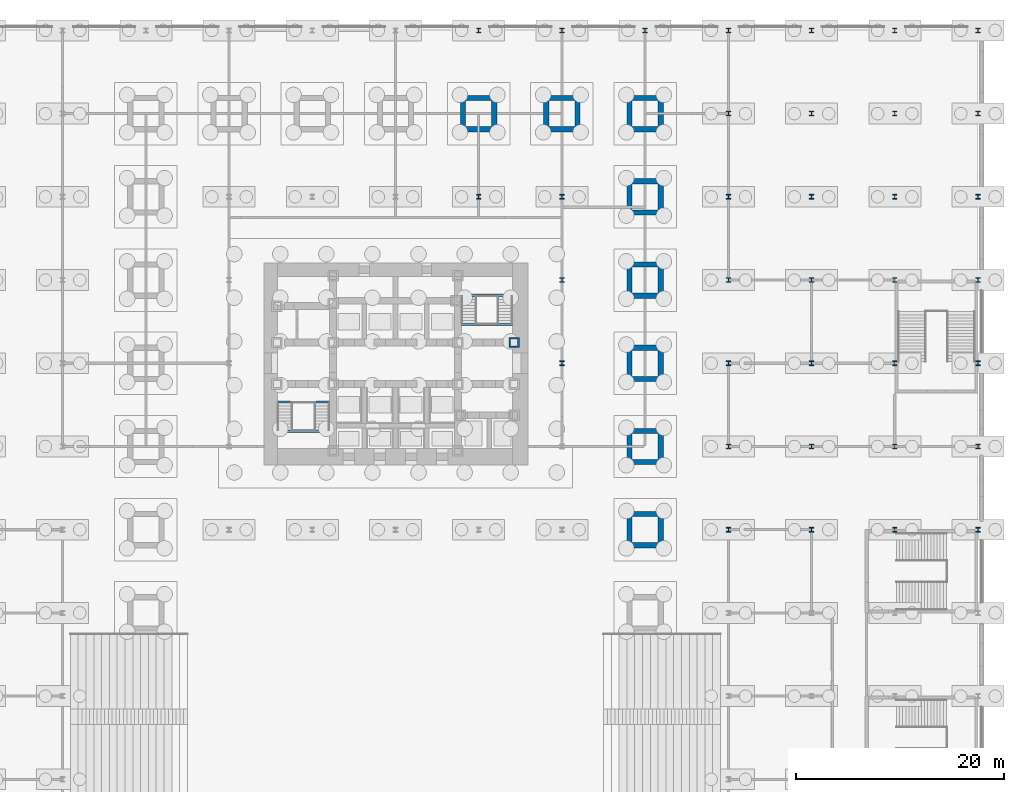
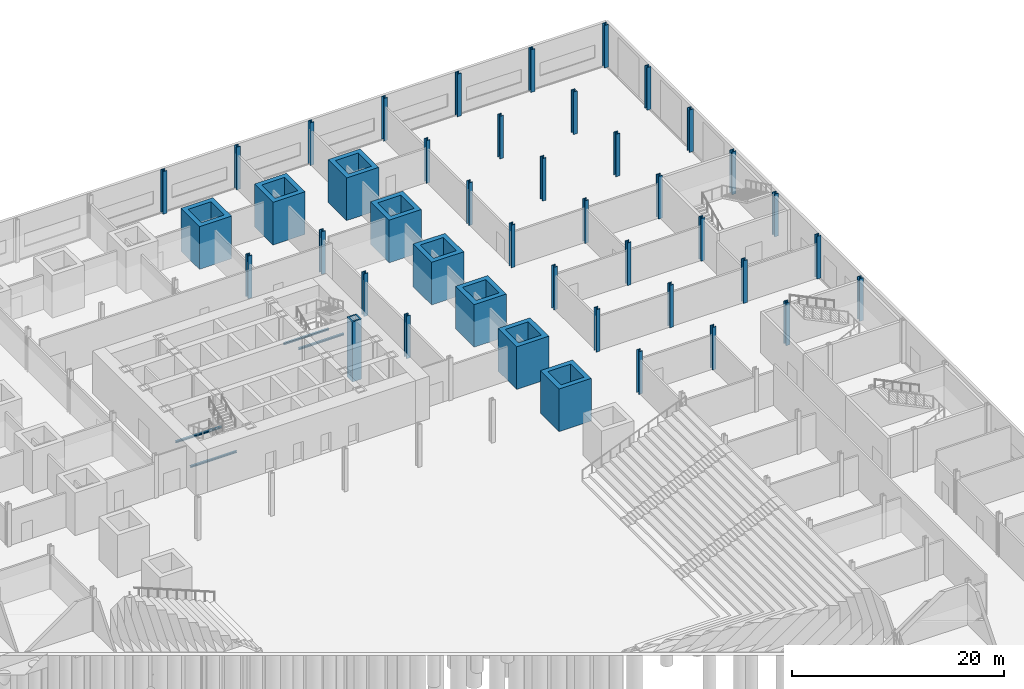
# One storey, part 7 of 24: 44 columns, 4 beams.
"""IFC4 building model written with IfcOpenShell, lengths in metres."""

from ifc_helpers import new_model, si_unit, direction, frame, origin, origin_2d, place, context, subcontext, project, spatial, hollow_rectangle, i_section, extrude, material, material_profile, profile_set, type_object, element, save


model = new_model("IFC4")

# Units and contexts
model_context = context("Model", 3, precision=1e-05, world=origin(), true_north=direction((0.0, 1.0)))
body_context = subcontext(model_context, "Body", "Model", "MODEL_VIEW")
ifc_project = project(units=[si_unit("LENGTHUNIT", "METRE"), si_unit("AREAUNIT", "SQUARE_METRE"), si_unit("VOLUMEUNIT", "CUBIC_METRE"), si_unit("PLANEANGLEUNIT", "RADIAN"), si_unit("MASSUNIT", "GRAM", prefix="KILO")], contexts=[model_context])

# Site, building, storey
site_placement = place(None, origin())
site = spatial("IfcSite", under=ifc_project, at=site_placement, CompositionType="ELEMENT")
building_placement = place(site_placement, origin())
building = spatial("IfcBuilding", under=site, at=building_placement, Name="Daluyong Arena Tower", CompositionType="ELEMENT")
storey_placement = place(building_placement, origin())
storey = spatial("IfcBuildingStorey", under=building, at=storey_placement, Name="L00", CompositionType="ELEMENT", Elevation=0.0)

# Columns
ifc_material_1 = material(Name="Steel ASTM A588 Grade 50", Category="steel")
ifc_material_profile_1 = material_profile(ifc_material_1, hollow_rectangle(XDim=1.0, YDim=1.0, WallThickness=0.15, at=origin_2d()))
ifc_profile_set_1 = profile_set([ifc_material_profile_1], Name="Steel ASTM A588 Grade 50")
column_type_1 = type_object("IfcColumnType", Name="Core boundary column BX1000X150", PredefinedType="COLUMN", material=ifc_profile_set_1)
column_placement = place(storey_placement, frame((67.39990234375, 82.0, -2.0), z_axis=(0.0, 0.0, 1.0), x_axis=(1.0, 0.0, 0.0)))
element("IfcColumn", 1, at=column_placement, inside=storey, type_object=column_type_1, Name="core boundary column BC1", PredefinedType="COLUMN", context=body_context, shape_type="SweptSolid", body=[
    extrude(hollow_rectangle(XDim=1.0, YDim=1.0, WallThickness=0.15, at=origin_2d()), origin(), (0.0, 0.0, 1.0), 6.89990234375),
])
ifc_material_2 = material(Name="Steel ASTM A913 Grade 65", Category="steel")
ifc_material_profile_2 = material_profile(ifc_material_2, i_section(OverallWidth=0.419189453125, OverallDepth=0.45458984375, WebThickness=0.042236328125, FlangeThickness=0.067626953125, at=origin_2d()))
ifc_profile_set_2 = profile_set([ifc_material_profile_2], Name="Steel ASTM A913 Grade 65")
column_type_2 = type_object("IfcColumnType", Name="Podium column W14X370", PredefinedType="COLUMN", material=ifc_profile_set_2)
for number, where, z_axis, x_axis, name in (
    (2, (64.0, 96.0, 0.0), (0.0, 0.0, 1.0), (1.0, 0.0, 0.0), "podium column PC1"),
    (3, (64.0, 112.0, 0.0), (0.0, 0.0, 1.0), (1.0, 0.0, 0.0), "podium column PC1"),
    (4, (72.0, 80.0, 0.0), (0.0, 0.0, 1.0), (1.0, 0.0, 0.0), "podium column PC1"),
    (5, (72.0, 88.0, 0.0), (0.0, 0.0, 1.0), (1.0, 0.0, 0.0), "podium column PC1"),
    (6, (72.0, 96.0, 0.0), (0.0, 0.0, 1.0), (1.0, 0.0, 0.0), "podium column PC1"),
    (7, (72.0, 112.0, 0.0), (0.0, 0.0, 1.0), (1.0, 0.0, 0.0), "podium column PC1"),
    (8, (80.0, 112.0, 0.0), (0.0, 0.0, 1.0), (1.0, 0.0, 0.0), "podium column PC1"),
    (9, (88.0, 64.0, 0.0), (0.0, 0.0, 1.0), (1.0, 0.0, 0.0), "podium column PC1"),
    (10, (88.0, 72.0, 0.0), (0.0, 0.0, 1.0), (1.0, 0.0, 0.0), "podium column PC1"),
    (11, (88.0, 80.0, 0.0), (0.0, 0.0, 1.0), (1.0, 0.0, 0.0), "podium column PC1"),
    (12, (88.0, 88.0, 0.0), (0.0, 0.0, 1.0), (1.0, 0.0, 0.0), "podium column PC1"),
    (13, (88.0, 96.0, 0.0), (0.0, 0.0, 1.0), (1.0, 0.0, 0.0), "podium column PC1"),
    (14, (88.0, 104.0, 0.0), (0.0, 0.0, 1.0), (1.0, 0.0, 0.0), "podium column PC1"),
    (15, (88.0, 112.0, 0.0), (0.0, 0.0, 1.0), (1.0, 0.0, 0.0), "podium column PC1"),
    (16, (96.0, 64.0, 0.0), (0.0, 0.0, 1.0), (1.0, 0.0, 0.0), "podium column PC1"),
    (17, (96.0, 72.0, 0.0), (0.0, 0.0, 1.0), (1.0, 0.0, 0.0), "podium column PC1"),
    (18, (96.0, 80.0, 0.0), (0.0, 0.0, 1.0), (1.0, 0.0, 0.0), "podium column PC1"),
    (19, (96.0, 88.0, 0.0), (0.0, 0.0, 1.0), (1.0, 0.0, 0.0), "podium column PC1"),
    (20, (96.0, 96.0, 0.0), (0.0, 0.0, 1.0), (1.0, 0.0, 0.0), "podium column PC1"),
    (21, (96.0, 104.0, 0.0), (0.0, 0.0, 1.0), (1.0, 0.0, 0.0), "podium column PC1"),
    (22, (96.0, 112.0, 0.0), (0.0, 0.0, 1.0), (1.0, 0.0, 0.0), "podium column PC1"),
    (23, (104.0, 64.0, 0.0), (0.0, 0.0, 1.0), (1.0, 0.0, 0.0), "podium column PC1"),
    (24, (104.0, 72.0, 0.0), (0.0, 0.0, 1.0), (1.0, 0.0, 0.0), "podium column PC1"),
    (25, (104.0, 80.0, 0.0), (0.0, 0.0, 1.0), (1.0, 0.0, 0.0), "podium column PC1"),
    (26, (104.0, 88.0, 0.0), (0.0, 0.0, 1.0), (1.0, 0.0, 0.0), "podium column PC1"),
    (27, (104.0, 96.0, 0.0), (0.0, 0.0, 1.0), (1.0, 0.0, 0.0), "podium column PC1"),
    (28, (104.0, 104.0, 0.0), (0.0, 0.0, 1.0), (1.0, 0.0, 0.0), "podium column PC1"),
    (29, (104.0, 112.0, 0.0), (0.0, 0.0, 1.0), (1.0, 0.0, 0.0), "podium column PC1"),
    (30, (112.0, 64.0, 0.0), (0.0, 0.0, 1.0), (1.0, 0.0, 0.0), "podium column PC1"),
    (31, (112.0, 72.0, 0.0), (0.0, 0.0, 1.0), (1.0, 0.0, 0.0), "podium column PC1"),
    (32, (112.0, 80.0, 0.0), (0.0, 0.0, 1.0), (1.0, 0.0, 0.0), "podium column PC1"),
    (33, (112.0, 88.0, 0.0), (0.0, 0.0, 1.0), (1.0, 0.0, 0.0), "podium column PC1"),
    (34, (112.0, 96.0, 0.0), (0.0, 0.0, 1.0), (1.0, 0.0, 0.0), "podium column PC1"),
    (35, (112.0, 104.0, 0.0), (0.0, 0.0, 1.0), (1.0, 0.0, 0.0), "podium column PC1"),
    (36, (112.0, 112.0, 0.0), (0.0, 0.0, 1.0), (1.0, 0.0, 0.0), "podium column PC1"),
):
    element("IfcColumn", number, at=place(storey_placement, frame(where, z_axis=z_axis, x_axis=x_axis)), inside=storey, type_object=column_type_2, Name=name, PredefinedType="COLUMN", context=body_context, shape_type="SweptSolid", body=[
        extrude(i_section(OverallWidth=0.419189453125, OverallDepth=0.45458984375, WebThickness=0.042236328125, FlangeThickness=0.067626953125, at=origin_2d()), origin(), (0.0, 0.0, 1.0), 4.89990234375),
    ])
ifc_material_3 = material(Name="Steel ASTM A36", Category="steel")
ifc_material_profile_3 = material_profile(ifc_material_3, hollow_rectangle(XDim=3.5, YDim=3.5, WallThickness=0.5, at=origin_2d()))
ifc_profile_set_3 = profile_set([ifc_material_profile_3], Name="Steel ASTM A36")
column_type_3 = type_object("IfcColumnType", Name="Podium megacolumn BX3500X500", PredefinedType="COLUMN", material=ifc_profile_set_3)
for number, where, z_axis, x_axis, name in (
    (37, (64.0, 104.0, 0.0), (0.0, 0.0, 1.0), (1.0, 0.0, 0.0), "podium megacolumn MC1"),
    (38, (72.0, 104.0, 0.0), (0.0, 0.0, 1.0), (1.0, 0.0, 0.0), "podium megacolumn MC1"),
    (39, (80.0, 64.0, 0.0), (0.0, 0.0, 1.0), (1.0, 0.0, 0.0), "podium megacolumn MC1"),
    (40, (80.0, 72.0, 0.0), (0.0, 0.0, 1.0), (1.0, 0.0, 0.0), "podium megacolumn MC1"),
    (41, (80.0, 80.0, 0.0), (0.0, 0.0, 1.0), (1.0, 0.0, 0.0), "podium megacolumn MC1"),
    (42, (80.0, 88.0, 0.0), (0.0, 0.0, 1.0), (1.0, 0.0, 0.0), "podium megacolumn MC1"),
    (43, (80.0, 96.0, 0.0), (0.0, 0.0, 1.0), (1.0, 0.0, 0.0), "podium megacolumn MC1"),
    (44, (80.0, 104.0, 0.0), (0.0, 0.0, 1.0), (1.0, 0.0, 0.0), "podium megacolumn MC1"),
):
    element("IfcColumn", number, at=place(storey_placement, frame(where, z_axis=z_axis, x_axis=x_axis)), inside=storey, type_object=column_type_3, Name=name, PredefinedType="COLUMN", context=body_context, shape_type="SweptSolid", body=[
        extrude(hollow_rectangle(XDim=3.5, YDim=3.5, WallThickness=0.5, at=origin_2d()), origin(), (0.0, 0.0, 1.0), 4.89990234375),
    ])

# Beams
ifc_material_4 = material(Name="Steel ASTM A992 Grade 50", Category="steel")
ifc_material_profile_4 = material_profile(ifc_material_4, i_section(OverallWidth=0.203125, OverallDepth=0.203125, WebThickness=0.00732421875, FlangeThickness=0.010986328125, at=origin_2d()))
ifc_profile_set_4 = profile_set([ifc_material_profile_4], Name="Steel ASTM A992 Grade 50")
beam_type = type_object("IfcBeamType", Name="Stair landing beam W8X31", PredefinedType="BEAM", material=ifc_profile_set_4)
for number, where, z_axis, x_axis, name in (
    (45, (44.639892578125, 76.276611328125, 2.085693359375), (1.0, 0.0, 0.0), (0.0, 1.0, 0.0), "exit stair A landing beam"),
    (46, (44.639892578125, 73.46337890625, 0.954833984375), (1.0, 0.0, 0.0), (0.0, 1.0, 0.0), "exit stair A landing beam"),
):
    element("IfcBeam", number, at=place(storey_placement, frame(where, z_axis=z_axis, x_axis=x_axis)), inside=storey, type_object=beam_type, Name=name, PredefinedType="BEAM", context=body_context, shape_type="SweptSolid", body=[
        extrude(i_section(OverallWidth=0.203125, OverallDepth=0.203125, WebThickness=0.00732421875, FlangeThickness=0.010986328125, at=origin_2d()), origin(), (0.0, 0.0, 1.0), 5.03515625),
    ])
for number, where, z_axis, x_axis, name in (
    (47, (62.324951171875, 83.723388671875, 2.085693359375), (1.0, 0.0, 0.0), (0.0, 1.0, 0.0), "exit stair B landing beam"),
    (48, (62.324951171875, 86.53662109375, 0.954833984375), (1.0, 0.0, 0.0), (0.0, 1.0, 0.0), "exit stair B landing beam"),
):
    element("IfcBeam", number, at=place(storey_placement, frame(where, z_axis=z_axis, x_axis=x_axis)), inside=storey, type_object=beam_type, Name=name, PredefinedType="BEAM", context=body_context, shape_type="SweptSolid", body=[
        extrude(i_section(OverallWidth=0.203125, OverallDepth=0.203125, WebThickness=0.00732421875, FlangeThickness=0.010986328125, at=origin_2d()), origin(), (0.0, 0.0, 1.0), 4.925048828125),
    ])

save(model, "model.ifc")
